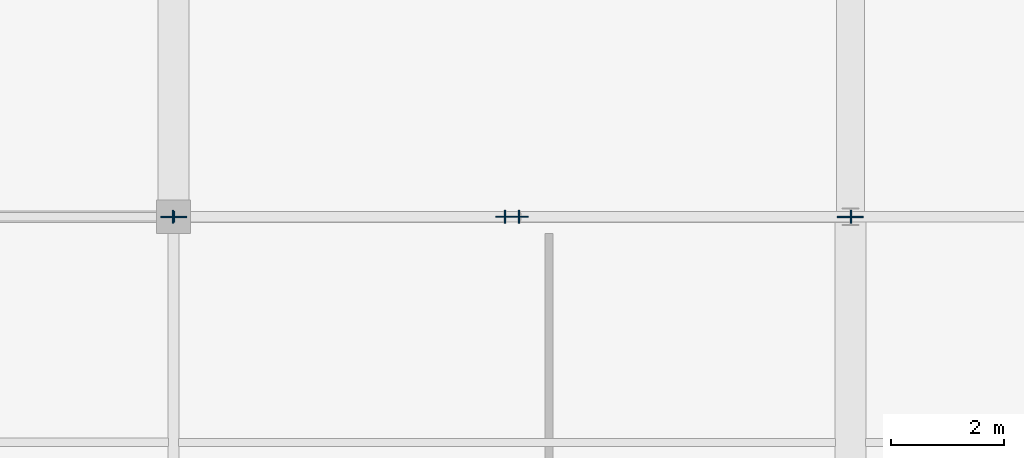
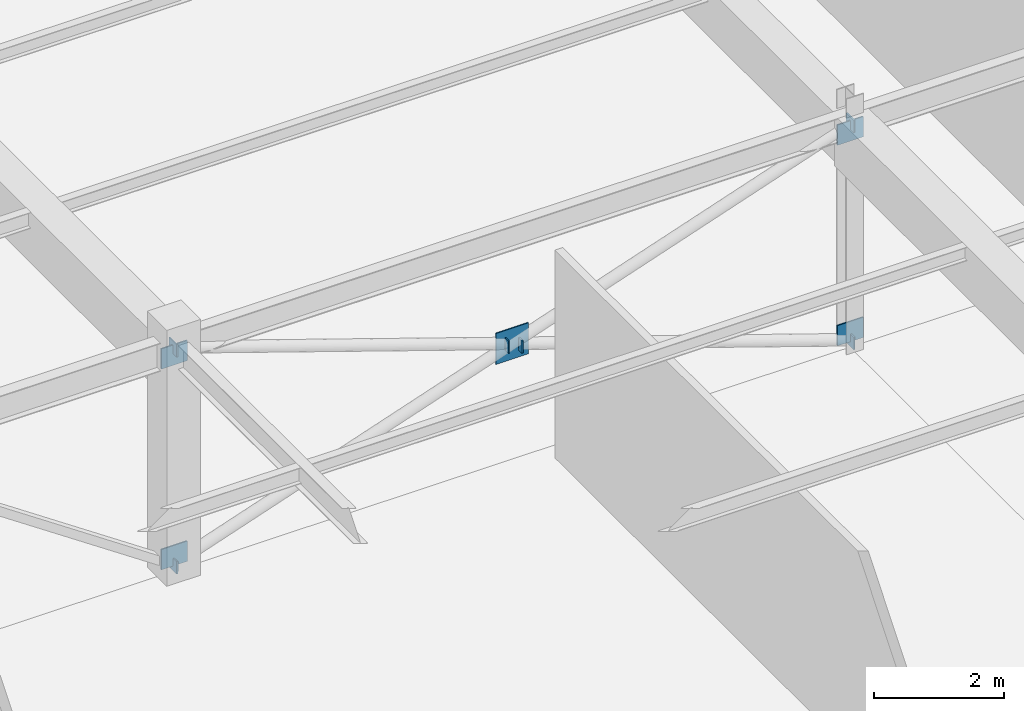
# One storey, part 134 of 199: 12 plates.
"""IFC4 building model written with IfcOpenShell, lengths in metres."""

from ifc_helpers import new_model, si_unit, direction, frame, origin, origin_2d, place, context, subcontext, project, spatial, rectangle, extrude, material, layer, layer_set, type_object, element, save


model = new_model("IFC4")

# Units and contexts
model_context = context("Model", 3, precision=1e-05, world=origin(), true_north=direction((0.0, 1.0)))
body_context = subcontext(model_context, "Body", "Model", "MODEL_VIEW")
ifc_project = project(units=[si_unit("LENGTHUNIT", "METRE"), si_unit("AREAUNIT", "SQUARE_METRE"), si_unit("VOLUMEUNIT", "CUBIC_METRE"), si_unit("PLANEANGLEUNIT", "RADIAN"), si_unit("MASSUNIT", "GRAM", prefix="KILO")], contexts=[model_context])

# Site, building, storey
site_placement = place(None, origin())
site = spatial("IfcSite", under=ifc_project, at=site_placement, CompositionType="ELEMENT")
building_placement = place(site_placement, origin())
building = spatial("IfcBuilding", under=site, at=building_placement, Name="Tarnwether General Hospital", CompositionType="ELEMENT")
storey_placement = place(building_placement, origin())
storey = spatial("IfcBuildingStorey", under=building, at=storey_placement, Name="L00", CompositionType="ELEMENT", Elevation=0.0)

# Plates
ifc_material_1 = material(Name="Steel Grade 350 (350 MPa)", Category="steel")
ifc_layer_1 = layer(ifc_material_1, 0.02001953125)
ifc_layer_set_1 = layer_set([ifc_layer_1], Name="Steel Grade 350 (350 MPa)")
plate_type_1 = type_object("IfcPlateType", Name="PT-GUS1", PredefinedType="USERDEFINED", material=ifc_layer_set_1)
plate_1_placement = place(storey_placement, frame((42.0, 45.60009765625, 1.882568359375), z_axis=(0.0, 0.0, 1.0), x_axis=(1.0, 0.0, 0.0)))
element("IfcPlate", 1, at=plate_1_placement, inside=storey, type_object=plate_type_1, Name="X-Brace Central Crossing Gusset Plate 040", ObjectType="GUSSET", PredefinedType="USERDEFINED", context=body_context, shape_type="SweptSolid", body=[
    extrude(rectangle(XDim=0.580078125, YDim=0.02001953125, at=origin_2d()), origin(), (0.0, 0.0, 1.0), 0.580078125),
])
ifc_material_2 = material(Name="Steel Grade 350 (350 MPa)", Category="steel")
ifc_layer_2 = layer(ifc_material_2, 0.02490234375)
ifc_layer_set_2 = layer_set([ifc_layer_2], Name="Steel Grade 350 (350 MPa)")
plate_type_2 = type_object("IfcPlateType", Name="PT-GUS2", PredefinedType="USERDEFINED", material=ifc_layer_set_2)
for number, where, z_axis, x_axis, name in (
    (2, (36.0, 45.60009765625, 0.110107421875), (0.0, 0.0, 1.0), (1.0, 0.0, 0.0), "Brace Base Gusset Plate 018"),
    (3, (48.0, 45.60009765625, 0.110107421875), (0.0, 0.0, 1.0), (1.0, 0.0, 0.0), "X-Brace Corner Gusset Plate 041"),
    (4, (36.0, 45.60009765625, 3.875), (0.0, 0.0, 1.0), (1.0, 0.0, 0.0), "X-Brace Corner Gusset Plate 042"),
    (5, (48.0, 45.60009765625, 3.875), (0.0, 0.0, 1.0), (1.0, 0.0, 0.0), "X-Brace Corner Gusset Plate 043"),
):
    element("IfcPlate", number, at=place(storey_placement, frame(where, z_axis=z_axis, x_axis=x_axis)), inside=storey, type_object=plate_type_2, Name=name, ObjectType="GUSSET", PredefinedType="USERDEFINED", context=body_context, shape_type="SweptSolid", body=[
        extrude(rectangle(XDim=0.4599609375, YDim=0.02490234375, at=origin_2d()), origin(), (0.0, 0.0, 1.0), 0.3798828125),
    ])
plate_2_placement = place(storey_placement, frame((36.01025390625, 45.60009765625, 0.0380859375), z_axis=(0.0, 0.0, 1.0), x_axis=(-1.0, 0.0, 0.0)))
element("IfcPlate", 6, at=plate_2_placement, inside=storey, type_object=plate_type_2, Name="Hollow Section Welded End Cap Plate 1201", ObjectType="GUSSET", PredefinedType="USERDEFINED", context=body_context, shape_type="SweptSolid", body=[
    extrude(rectangle(XDim=0.02490234375, YDim=0.18994140625, at=origin_2d()), origin(), (0.0, 0.0, 1.0), 0.18994140625),
])
for number, where, z_axis, x_axis, name in (
    (7, (35.98828125, 45.60009765625, 0.01904296875), (0.0, 0.0, 1.0), (1.0, 0.0, 0.0), "Hollow Section Welded End Cap Plate 1231"),
    (8, (48.01171875, 45.60009765625, 4.092041015625), (0.0, 0.0, 1.0), (1.0, 0.0, 0.0), "Hollow Section Welded End Cap Plate 1232"),
    (9, (48.01171875, 45.60009765625, 0.01904296875), (0.0, 0.0, 1.0), (-1.0, 0.0, 0.0), "Hollow Section Welded End Cap Plate 1233"),
    (10, (42.120849609375, 45.60009765625, 2.0146484375), (0.0, 0.0, 1.0), (-1.0, 0.0, 0.0), "Hollow Section Welded End Cap Plate 1234"),
    (11, (41.879150390625, 45.60009765625, 2.096435546875), (0.0, 0.0, 1.0), (-1.0, 0.0, 0.0), "Hollow Section Welded End Cap Plate 1235"),
    (12, (35.98828125, 45.60009765625, 4.092041015625), (0.0, 0.0, 1.0), (-1.0, 0.0, 0.0), "Hollow Section Welded End Cap Plate 1236"),
):
    element("IfcPlate", number, at=place(storey_placement, frame(where, z_axis=z_axis, x_axis=x_axis)), inside=storey, type_object=plate_type_2, Name=name, ObjectType="GUSSET", PredefinedType="USERDEFINED", context=body_context, shape_type="SweptSolid", body=[
        extrude(rectangle(XDim=0.02490234375, YDim=0.23388671875, at=origin_2d()), origin(), (0.0, 0.0, 1.0), 0.23388671875),
    ])

save(model, "model.ifc")
